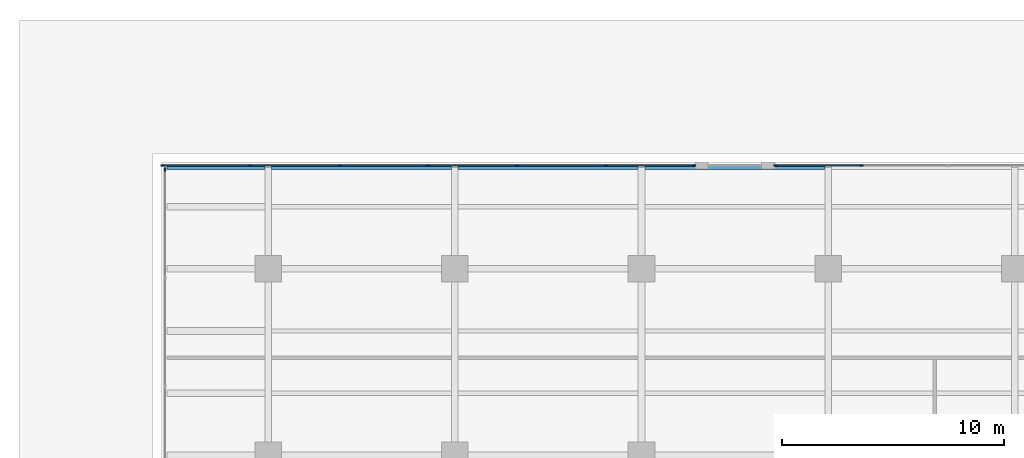
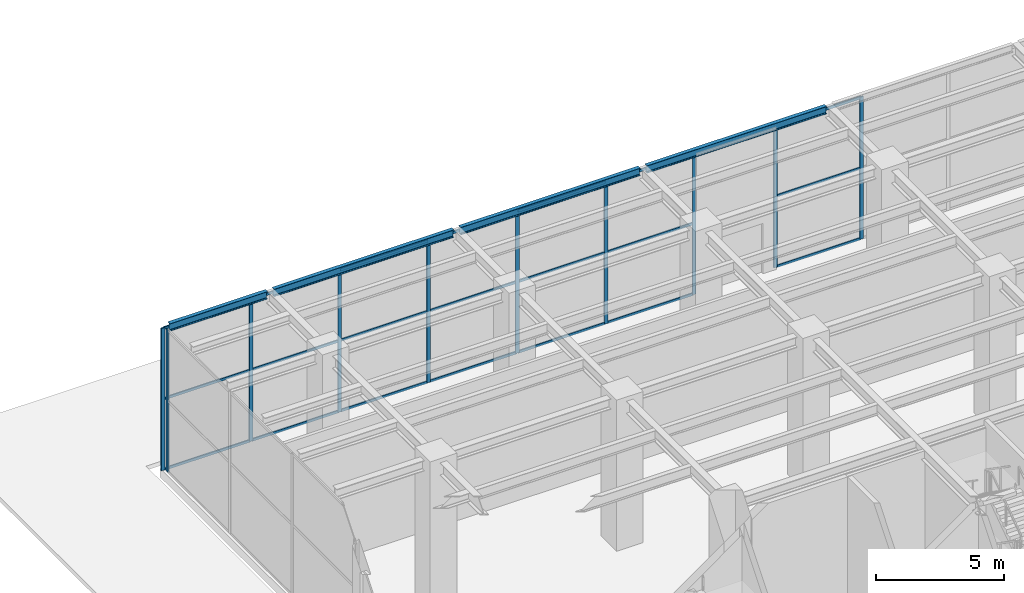
# One storey, part 18 of 43: 31 members, 4 beams, 3 elements without a shape of their own.
"""IFC4 building model written with IfcOpenShell, lengths in metres."""

from ifc_helpers import new_model, si_unit, direction, frame, origin, origin_2d, place, context, subcontext, project, spatial, rectangle, i_section, extrude, material, material_profile, profile_set, type_object, element, aggregate, save


model = new_model("IFC4")

# Units and contexts
model_context = context("Model", 3, precision=1e-05, world=origin(), true_north=direction((0.0, 1.0)))
body_context = subcontext(model_context, "Body", "Model", "MODEL_VIEW")
ifc_project = project(units=[si_unit("LENGTHUNIT", "METRE"), si_unit("AREAUNIT", "SQUARE_METRE"), si_unit("VOLUMEUNIT", "CUBIC_METRE"), si_unit("PLANEANGLEUNIT", "RADIAN"), si_unit("MASSUNIT", "GRAM", prefix="KILO")], contexts=[model_context])

# Site, building, storey
site_placement = place(None, origin())
site = spatial("IfcSite", under=ifc_project, at=site_placement, CompositionType="ELEMENT")
building_placement = place(site_placement, origin())
building = spatial("IfcBuilding", under=site, at=building_placement, Name="Khepri Terraces", CompositionType="ELEMENT")
storey_placement = place(building_placement, origin())
storey = spatial("IfcBuildingStorey", under=building, at=storey_placement, Name="L00", CompositionType="ELEMENT", Elevation=0.0)

# Curtain wall, members
ifc_material_1 = material(Name="Anodised aluminium bronze curtain wall", Category="aluminium")
curtain_wall_type = type_object("IfcCurtainWallType", Name="CW-SYS1-LOBBY", PredefinedType="NOTDEFINED", material=ifc_material_1)
curtain_wall_1_placement = place(storey_placement, origin())
curtain_wall_1 = element("IfcCurtainWall", 1, at=curtain_wall_1_placement, inside=storey, type_object=curtain_wall_type, Name="Curtain wall CW1 L00 N", PredefinedType="NOTDEFINED")
ifc_material_2 = material(Name="Anodised aluminium bronze", Category="aluminium")
ifc_material_profile_1 = material_profile(ifc_material_2, rectangle(XDim=0.06005859375, YDim=0.159912109375, at=origin_2d()), Name="Anodised aluminium bronze", Category="aluminium")
ifc_profile_set_1 = profile_set([ifc_material_profile_1], Name="Anodised aluminium bronze")
member_type_1 = type_object("IfcMemberType", Name="CW-MULLION-60x160", PredefinedType="MULLION", material=ifc_profile_set_1)
member_1_placement = place(storey_placement, frame((-15.2900390625, 46.64990234375, 0.0), z_axis=(0.0, 0.0, 1.0), x_axis=(0.0, -1.0, 0.0)))
member_1 = element("IfcMember", 2, at=member_1_placement, type_object=member_type_1, Name="CW1 mullion 5", PredefinedType="MULLION", context=body_context, shape_type="SweptSolid", body=[
    extrude(rectangle(XDim=0.06005859375, YDim=0.159912109375, at=origin_2d()), origin(), (0.0, 0.0, 1.0), 6.780029296875),
])
member_2_placement = place(storey_placement, frame((-19.169921875, 46.64990234375, 0.0), z_axis=(0.0, 0.0, 1.0), x_axis=(0.0, -1.0, 0.0)))
member_2 = element("IfcMember", 3, at=member_2_placement, type_object=member_type_1, Name="CW1 mullion 6", PredefinedType="MULLION", context=body_context, shape_type="SweptSolid", body=[
    extrude(rectangle(XDim=0.06005859375, YDim=0.159912109375, at=origin_2d()), origin(), (0.0, 0.0, 1.0), 6.780029296875),
])

curtain_wall_2_placement = place(storey_placement, origin())
curtain_wall_2 = element("IfcCurtainWall", 4, at=curtain_wall_2_placement, inside=storey, type_object=curtain_wall_type, Name="Curtain wall CW1 L00 N", PredefinedType="NOTDEFINED")
member_3_placement = place(storey_placement, frame((-22.830078125, 46.64990234375, 0.0), z_axis=(0.0, 0.0, 1.0), x_axis=(0.0, -1.0, 0.0)))
member_3 = element("IfcMember", 5, at=member_3_placement, type_object=member_type_1, Name="CW1 mullion 1", PredefinedType="MULLION", context=body_context, shape_type="SweptSolid", body=[
    extrude(rectangle(XDim=0.06005859375, YDim=0.159912109375, at=origin_2d()), origin(), (0.0, 0.0, 1.0), 6.780029296875),
])
member_4_placement = place(storey_placement, frame((-26.800048828125, 46.64990234375, 0.0), z_axis=(0.0, 0.0, 1.0), x_axis=(0.0, -1.0, 0.0)))
member_4 = element("IfcMember", 6, at=member_4_placement, type_object=member_type_1, Name="CW1 mullion 2", PredefinedType="MULLION", context=body_context, shape_type="SweptSolid", body=[
    extrude(rectangle(XDim=0.06005859375, YDim=0.159912109375, at=origin_2d()), origin(), (0.0, 0.0, 1.0), 6.780029296875),
])
member_5_placement = place(storey_placement, frame((-30.800048828125, 46.64990234375, 0.0), z_axis=(0.0, 0.0, 1.0), x_axis=(0.0, -1.0, 0.0)))
member_5 = element("IfcMember", 7, at=member_5_placement, type_object=member_type_1, Name="CW1 mullion 3", PredefinedType="MULLION", context=body_context, shape_type="SweptSolid", body=[
    extrude(rectangle(XDim=0.06005859375, YDim=0.159912109375, at=origin_2d()), origin(), (0.0, 0.0, 1.0), 6.780029296875),
])
member_6_placement = place(storey_placement, frame((-34.800048828125, 46.64990234375, 0.0), z_axis=(0.0, 0.0, 1.0), x_axis=(0.0, -1.0, 0.0)))
member_6 = element("IfcMember", 8, at=member_6_placement, type_object=member_type_1, Name="CW1 mullion 4", PredefinedType="MULLION", context=body_context, shape_type="SweptSolid", body=[
    extrude(rectangle(XDim=0.06005859375, YDim=0.159912109375, at=origin_2d()), origin(), (0.0, 0.0, 1.0), 6.780029296875),
])
member_7_placement = place(storey_placement, frame((-38.800048828125, 46.64990234375, 0.0), z_axis=(0.0, 0.0, 1.0), x_axis=(0.0, -1.0, 0.0)))
member_7 = element("IfcMember", 9, at=member_7_placement, type_object=member_type_1, Name="CW1 mullion 5", PredefinedType="MULLION", context=body_context, shape_type="SweptSolid", body=[
    extrude(rectangle(XDim=0.06005859375, YDim=0.159912109375, at=origin_2d()), origin(), (0.0, 0.0, 1.0), 6.780029296875),
])
member_8_placement = place(storey_placement, frame((-42.800048828125, 46.64990234375, 0.0), z_axis=(0.0, 0.0, 1.0), x_axis=(0.0, -1.0, 0.0)))
member_8 = element("IfcMember", 10, at=member_8_placement, type_object=member_type_1, Name="CW1 mullion 6", PredefinedType="MULLION", context=body_context, shape_type="SweptSolid", body=[
    extrude(rectangle(XDim=0.06005859375, YDim=0.159912109375, at=origin_2d()), origin(), (0.0, 0.0, 1.0), 6.780029296875),
])
member_9_placement = place(storey_placement, frame((-46.77001953125, 46.64990234375, 0.0), z_axis=(0.0, 0.0, 1.0), x_axis=(0.0, -1.0, 0.0)))
member_9 = element("IfcMember", 11, at=member_9_placement, type_object=member_type_1, Name="CW1 mullion 7", PredefinedType="MULLION", context=body_context, shape_type="SweptSolid", body=[
    extrude(rectangle(XDim=0.06005859375, YDim=0.159912109375, at=origin_2d()), origin(), (0.0, 0.0, 1.0), 6.780029296875),
])

# Curtain wall, member
curtain_wall_3_placement = place(storey_placement, origin())
curtain_wall_3 = element("IfcCurtainWall", 12, at=curtain_wall_3_placement, inside=storey, type_object=curtain_wall_type, Name="Curtain wall CW1 L00 W", PredefinedType="NOTDEFINED")
member_10_placement = place(storey_placement, frame((-46.64990234375, 46.469970703125, 0.0), z_axis=(0.0, 0.0, 1.0), x_axis=(1.0, 0.0, 0.0)))
member_10 = element("IfcMember", 13, at=member_10_placement, type_object=member_type_1, Name="CW1 mullion 1", PredefinedType="MULLION", context=body_context, shape_type="SweptSolid", body=[
    extrude(rectangle(XDim=0.06005859375, YDim=0.159912109375, at=origin_2d()), origin(), (0.0, 0.0, 1.0), 6.780029296875),
])
aggregate(curtain_wall_3, [member_10])

# Member
ifc_material_profile_2 = material_profile(ifc_material_2, rectangle(XDim=0.06005859375, YDim=0.1201171875, at=origin_2d()), Name="Anodised aluminium bronze", Category="aluminium")
ifc_profile_set_2 = profile_set([ifc_material_profile_2], Name="Anodised aluminium bronze")
member_type_2 = type_object("IfcMemberType", Name="CW-TRANSOM-60x120", PredefinedType="USERDEFINED", material=ifc_profile_set_2)
member_11_placement = place(storey_placement, frame((-15.320068359375, 46.64990234375, 0.030029296875), z_axis=(-1.0, 0.0, 0.0), x_axis=(0.0, -1.0, 0.0)))
member_11 = element("IfcMember", 14, at=member_11_placement, type_object=member_type_2, Name="CW1 transom 5.1", ObjectType="TRANSOM", PredefinedType="USERDEFINED", context=body_context, shape_type="SweptSolid", body=[
    extrude(rectangle(XDim=0.06005859375, YDim=0.1201171875, at=origin_2d()), origin(), (0.0, 0.0, 1.0), 3.81982421875),
])

member_12_placement = place(storey_placement, frame((-15.320068359375, 46.64990234375, 3.389892578125), z_axis=(-1.0, 0.0, 0.0), x_axis=(0.0, -1.0, 0.0)))
member_12 = element("IfcMember", 15, at=member_12_placement, type_object=member_type_2, Name="CW1 transom 5.2", ObjectType="TRANSOM", PredefinedType="USERDEFINED", context=body_context, shape_type="SweptSolid", body=[
    extrude(rectangle(XDim=0.06005859375, YDim=0.1201171875, at=origin_2d()), origin(), (0.0, 0.0, 1.0), 3.81982421875),
])

member_13_placement = place(storey_placement, frame((-15.320068359375, 46.64990234375, 6.75), z_axis=(-1.0, 0.0, 0.0), x_axis=(0.0, -1.0, 0.0)))
member_13 = element("IfcMember", 16, at=member_13_placement, type_object=member_type_2, Name="CW1 transom 5.3", ObjectType="TRANSOM", PredefinedType="USERDEFINED", context=body_context, shape_type="SweptSolid", body=[
    extrude(rectangle(XDim=0.06005859375, YDim=0.1201171875, at=origin_2d()), origin(), (0.0, 0.0, 1.0), 3.81982421875),
])

aggregate(curtain_wall_1, [member_1, member_2, member_11, member_12, member_13])

member_14_placement = place(storey_placement, frame((-22.860107421875, 46.64990234375, 0.030029296875), z_axis=(-1.0, 0.0, 0.0), x_axis=(0.0, -1.0, 0.0)))
member_14 = element("IfcMember", 17, at=member_14_placement, type_object=member_type_2, Name="CW1 transom 1.1", ObjectType="TRANSOM", PredefinedType="USERDEFINED", context=body_context, shape_type="SweptSolid", body=[
    extrude(rectangle(XDim=0.06005859375, YDim=0.1201171875, at=origin_2d()), origin(), (0.0, 0.0, 1.0), 3.909912109375),
])

member_15_placement = place(storey_placement, frame((-22.860107421875, 46.64990234375, 3.389892578125), z_axis=(-1.0, 0.0, 0.0), x_axis=(0.0, -1.0, 0.0)))
member_15 = element("IfcMember", 18, at=member_15_placement, type_object=member_type_2, Name="CW1 transom 1.2", ObjectType="TRANSOM", PredefinedType="USERDEFINED", context=body_context, shape_type="SweptSolid", body=[
    extrude(rectangle(XDim=0.06005859375, YDim=0.1201171875, at=origin_2d()), origin(), (0.0, 0.0, 1.0), 3.909912109375),
])

member_16_placement = place(storey_placement, frame((-22.860107421875, 46.64990234375, 6.75), z_axis=(-1.0, 0.0, 0.0), x_axis=(0.0, -1.0, 0.0)))
member_16 = element("IfcMember", 19, at=member_16_placement, type_object=member_type_2, Name="CW1 transom 1.3", ObjectType="TRANSOM", PredefinedType="USERDEFINED", context=body_context, shape_type="SweptSolid", body=[
    extrude(rectangle(XDim=0.06005859375, YDim=0.1201171875, at=origin_2d()), origin(), (0.0, 0.0, 1.0), 3.909912109375),
])

member_17_placement = place(storey_placement, frame((-26.830078125, 46.64990234375, 0.030029296875), z_axis=(-1.0, 0.0, 0.0), x_axis=(0.0, -1.0, 0.0)))
member_17 = element("IfcMember", 20, at=member_17_placement, type_object=member_type_2, Name="CW1 transom 2.1", ObjectType="TRANSOM", PredefinedType="USERDEFINED", context=body_context, shape_type="SweptSolid", body=[
    extrude(rectangle(XDim=0.06005859375, YDim=0.1201171875, at=origin_2d()), origin(), (0.0, 0.0, 1.0), 3.93994140625),
])

member_18_placement = place(storey_placement, frame((-26.830078125, 46.64990234375, 3.389892578125), z_axis=(-1.0, 0.0, 0.0), x_axis=(0.0, -1.0, 0.0)))
member_18 = element("IfcMember", 21, at=member_18_placement, type_object=member_type_2, Name="CW1 transom 2.2", ObjectType="TRANSOM", PredefinedType="USERDEFINED", context=body_context, shape_type="SweptSolid", body=[
    extrude(rectangle(XDim=0.06005859375, YDim=0.1201171875, at=origin_2d()), origin(), (0.0, 0.0, 1.0), 3.93994140625),
])

member_19_placement = place(storey_placement, frame((-26.830078125, 46.64990234375, 6.75), z_axis=(-1.0, 0.0, 0.0), x_axis=(0.0, -1.0, 0.0)))
member_19 = element("IfcMember", 22, at=member_19_placement, type_object=member_type_2, Name="CW1 transom 2.3", ObjectType="TRANSOM", PredefinedType="USERDEFINED", context=body_context, shape_type="SweptSolid", body=[
    extrude(rectangle(XDim=0.06005859375, YDim=0.1201171875, at=origin_2d()), origin(), (0.0, 0.0, 1.0), 3.93994140625),
])

member_20_placement = place(storey_placement, frame((-30.830078125, 46.64990234375, 0.030029296875), z_axis=(-1.0, 0.0, 0.0), x_axis=(0.0, -1.0, 0.0)))
member_20 = element("IfcMember", 23, at=member_20_placement, type_object=member_type_2, Name="CW1 transom 3.1", ObjectType="TRANSOM", PredefinedType="USERDEFINED", context=body_context, shape_type="SweptSolid", body=[
    extrude(rectangle(XDim=0.06005859375, YDim=0.1201171875, at=origin_2d()), origin(), (0.0, 0.0, 1.0), 3.93994140625),
])

member_21_placement = place(storey_placement, frame((-30.830078125, 46.64990234375, 3.389892578125), z_axis=(-1.0, 0.0, 0.0), x_axis=(0.0, -1.0, 0.0)))
member_21 = element("IfcMember", 24, at=member_21_placement, type_object=member_type_2, Name="CW1 transom 3.2", ObjectType="TRANSOM", PredefinedType="USERDEFINED", context=body_context, shape_type="SweptSolid", body=[
    extrude(rectangle(XDim=0.06005859375, YDim=0.1201171875, at=origin_2d()), origin(), (0.0, 0.0, 1.0), 3.93994140625),
])

member_22_placement = place(storey_placement, frame((-30.830078125, 46.64990234375, 6.75), z_axis=(-1.0, 0.0, 0.0), x_axis=(0.0, -1.0, 0.0)))
member_22 = element("IfcMember", 25, at=member_22_placement, type_object=member_type_2, Name="CW1 transom 3.3", ObjectType="TRANSOM", PredefinedType="USERDEFINED", context=body_context, shape_type="SweptSolid", body=[
    extrude(rectangle(XDim=0.06005859375, YDim=0.1201171875, at=origin_2d()), origin(), (0.0, 0.0, 1.0), 3.93994140625),
])

member_23_placement = place(storey_placement, frame((-34.830078125, 46.64990234375, 0.030029296875), z_axis=(-1.0, 0.0, 0.0), x_axis=(0.0, -1.0, 0.0)))
member_23 = element("IfcMember", 26, at=member_23_placement, type_object=member_type_2, Name="CW1 transom 4.1", ObjectType="TRANSOM", PredefinedType="USERDEFINED", context=body_context, shape_type="SweptSolid", body=[
    extrude(rectangle(XDim=0.06005859375, YDim=0.1201171875, at=origin_2d()), origin(), (0.0, 0.0, 1.0), 3.93994140625),
])

member_24_placement = place(storey_placement, frame((-34.830078125, 46.64990234375, 3.389892578125), z_axis=(-1.0, 0.0, 0.0), x_axis=(0.0, -1.0, 0.0)))
member_24 = element("IfcMember", 27, at=member_24_placement, type_object=member_type_2, Name="CW1 transom 4.2", ObjectType="TRANSOM", PredefinedType="USERDEFINED", context=body_context, shape_type="SweptSolid", body=[
    extrude(rectangle(XDim=0.06005859375, YDim=0.1201171875, at=origin_2d()), origin(), (0.0, 0.0, 1.0), 3.93994140625),
])

member_25_placement = place(storey_placement, frame((-34.830078125, 46.64990234375, 6.75), z_axis=(-1.0, 0.0, 0.0), x_axis=(0.0, -1.0, 0.0)))
member_25 = element("IfcMember", 28, at=member_25_placement, type_object=member_type_2, Name="CW1 transom 4.3", ObjectType="TRANSOM", PredefinedType="USERDEFINED", context=body_context, shape_type="SweptSolid", body=[
    extrude(rectangle(XDim=0.06005859375, YDim=0.1201171875, at=origin_2d()), origin(), (0.0, 0.0, 1.0), 3.93994140625),
])

member_26_placement = place(storey_placement, frame((-38.830078125, 46.64990234375, 0.030029296875), z_axis=(-1.0, 0.0, 0.0), x_axis=(0.0, -1.0, 0.0)))
member_26 = element("IfcMember", 29, at=member_26_placement, type_object=member_type_2, Name="CW1 transom 5.1", ObjectType="TRANSOM", PredefinedType="USERDEFINED", context=body_context, shape_type="SweptSolid", body=[
    extrude(rectangle(XDim=0.06005859375, YDim=0.1201171875, at=origin_2d()), origin(), (0.0, 0.0, 1.0), 3.93994140625),
])

member_27_placement = place(storey_placement, frame((-38.830078125, 46.64990234375, 3.389892578125), z_axis=(-1.0, 0.0, 0.0), x_axis=(0.0, -1.0, 0.0)))
member_27 = element("IfcMember", 30, at=member_27_placement, type_object=member_type_2, Name="CW1 transom 5.2", ObjectType="TRANSOM", PredefinedType="USERDEFINED", context=body_context, shape_type="SweptSolid", body=[
    extrude(rectangle(XDim=0.06005859375, YDim=0.1201171875, at=origin_2d()), origin(), (0.0, 0.0, 1.0), 3.93994140625),
])

member_28_placement = place(storey_placement, frame((-38.830078125, 46.64990234375, 6.75), z_axis=(-1.0, 0.0, 0.0), x_axis=(0.0, -1.0, 0.0)))
member_28 = element("IfcMember", 31, at=member_28_placement, type_object=member_type_2, Name="CW1 transom 5.3", ObjectType="TRANSOM", PredefinedType="USERDEFINED", context=body_context, shape_type="SweptSolid", body=[
    extrude(rectangle(XDim=0.06005859375, YDim=0.1201171875, at=origin_2d()), origin(), (0.0, 0.0, 1.0), 3.93994140625),
])

member_29_placement = place(storey_placement, frame((-42.830078125, 46.64990234375, 0.030029296875), z_axis=(-1.0, 0.0, 0.0), x_axis=(0.0, -1.0, 0.0)))
member_29 = element("IfcMember", 32, at=member_29_placement, type_object=member_type_2, Name="CW1 transom 6.1", ObjectType="TRANSOM", PredefinedType="USERDEFINED", context=body_context, shape_type="SweptSolid", body=[
    extrude(rectangle(XDim=0.06005859375, YDim=0.1201171875, at=origin_2d()), origin(), (0.0, 0.0, 1.0), 3.909912109375),
])

member_30_placement = place(storey_placement, frame((-42.830078125, 46.64990234375, 3.389892578125), z_axis=(-1.0, 0.0, 0.0), x_axis=(0.0, -1.0, 0.0)))
member_30 = element("IfcMember", 33, at=member_30_placement, type_object=member_type_2, Name="CW1 transom 6.2", ObjectType="TRANSOM", PredefinedType="USERDEFINED", context=body_context, shape_type="SweptSolid", body=[
    extrude(rectangle(XDim=0.06005859375, YDim=0.1201171875, at=origin_2d()), origin(), (0.0, 0.0, 1.0), 3.909912109375),
])

member_31_placement = place(storey_placement, frame((-42.830078125, 46.64990234375, 6.75), z_axis=(-1.0, 0.0, 0.0), x_axis=(0.0, -1.0, 0.0)))
member_31 = element("IfcMember", 34, at=member_31_placement, type_object=member_type_2, Name="CW1 transom 6.3", ObjectType="TRANSOM", PredefinedType="USERDEFINED", context=body_context, shape_type="SweptSolid", body=[
    extrude(rectangle(XDim=0.06005859375, YDim=0.1201171875, at=origin_2d()), origin(), (0.0, 0.0, 1.0), 3.909912109375),
])

aggregate(curtain_wall_2, [member_3, member_4, member_5, member_6, member_7, member_8, member_9, member_14, member_15, member_16, member_17, member_18, member_19, member_20, member_21, member_22, member_23, member_24, member_25, member_26, member_27, member_28, member_29, member_30, member_31])

# Beams
ifc_material_3 = material(Name="Steel S355", Category="steel")
ifc_material_profile_3 = material_profile(ifc_material_3, i_section(OverallWidth=0.169921875, OverallDepth=0.360107421875, WebThickness=0.008056640625, FlangeThickness=0.0126953125, FilletRadius=0.01806640625, at=origin_2d()), Name="Steel S355", Category="steel")
ifc_profile_set_3 = profile_set([ifc_material_profile_3], Name="Steel S355")
beam_type_1 = type_object("IfcBeamType", Name="Podium cantilever edge beam L01 IPE 360", PredefinedType="SPANDREL", material=ifc_profile_set_3)
beam_1_placement = place(storey_placement, frame((-46.550048828125, 46.550048828125, 6.820068359375), z_axis=(1.0, 0.0, 0.0), x_axis=(0.0, 1.0, 0.0)))
element("IfcBeam", 35, at=beam_1_placement, inside=storey, type_object=beam_type_1, Name="Podium edge beam L01 013", PredefinedType="SPANDREL", context=body_context, shape_type="SweptSolid", body=[
    extrude(i_section(OverallWidth=0.169921875, OverallDepth=0.360107421875, WebThickness=0.008056640625, FlangeThickness=0.0126953125, FilletRadius=0.01806640625, at=origin_2d()), origin(), (0.0, 0.0, 1.0), 4.400146484375),
])
ifc_material_profile_4 = material_profile(ifc_material_3, i_section(OverallWidth=0.169921875, OverallDepth=0.360107421875, WebThickness=0.008056640625, FlangeThickness=0.0126953125, FilletRadius=0.01806640625, at=origin_2d()), Name="Steel S355", Category="steel")
ifc_profile_set_4 = profile_set([ifc_material_profile_4], Name="Steel S355")
beam_type_2 = type_object("IfcBeamType", Name="Podium edge beam L01 IPE 360", PredefinedType="SPANDREL", material=ifc_profile_set_4)
beam_2_placement = place(storey_placement, frame((-41.85009765625, 46.550048828125, 6.820068359375), z_axis=(1.0, 0.0, 0.0), x_axis=(0.0, 1.0, 0.0)))
element("IfcBeam", 36, at=beam_2_placement, inside=storey, type_object=beam_type_2, Name="Podium edge beam L01 014", PredefinedType="SPANDREL", context=body_context, shape_type="SweptSolid", body=[
    extrude(i_section(OverallWidth=0.169921875, OverallDepth=0.360107421875, WebThickness=0.008056640625, FlangeThickness=0.0126953125, FilletRadius=0.01806640625, at=origin_2d()), origin(), (0.0, 0.0, 1.0), 8.10009765625),
])
beam_3_placement = place(storey_placement, frame((-33.449951171875, 46.550048828125, 6.820068359375), z_axis=(1.0, 0.0, 0.0), x_axis=(0.0, 1.0, 0.0)))
element("IfcBeam", 37, at=beam_3_placement, inside=storey, type_object=beam_type_2, Name="Podium edge beam L01 015", PredefinedType="SPANDREL", context=body_context, shape_type="SweptSolid", body=[
    extrude(i_section(OverallWidth=0.169921875, OverallDepth=0.360107421875, WebThickness=0.008056640625, FlangeThickness=0.0126953125, FilletRadius=0.01806640625, at=origin_2d()), origin(), (0.0, 0.0, 1.0), 8.099853515625),
])
beam_4_placement = place(storey_placement, frame((-25.050048828125, 46.550048828125, 6.820068359375), z_axis=(1.0, 0.0, 0.0), x_axis=(0.0, 1.0, 0.0)))
element("IfcBeam", 38, at=beam_4_placement, inside=storey, type_object=beam_type_2, Name="Podium edge beam L01 016", PredefinedType="SPANDREL", context=body_context, shape_type="SweptSolid", body=[
    extrude(i_section(OverallWidth=0.169921875, OverallDepth=0.360107421875, WebThickness=0.008056640625, FlangeThickness=0.0126953125, FilletRadius=0.01806640625, at=origin_2d()), origin(), (0.0, 0.0, 1.0), 8.10009765625),
])

save(model, "model.ifc")
